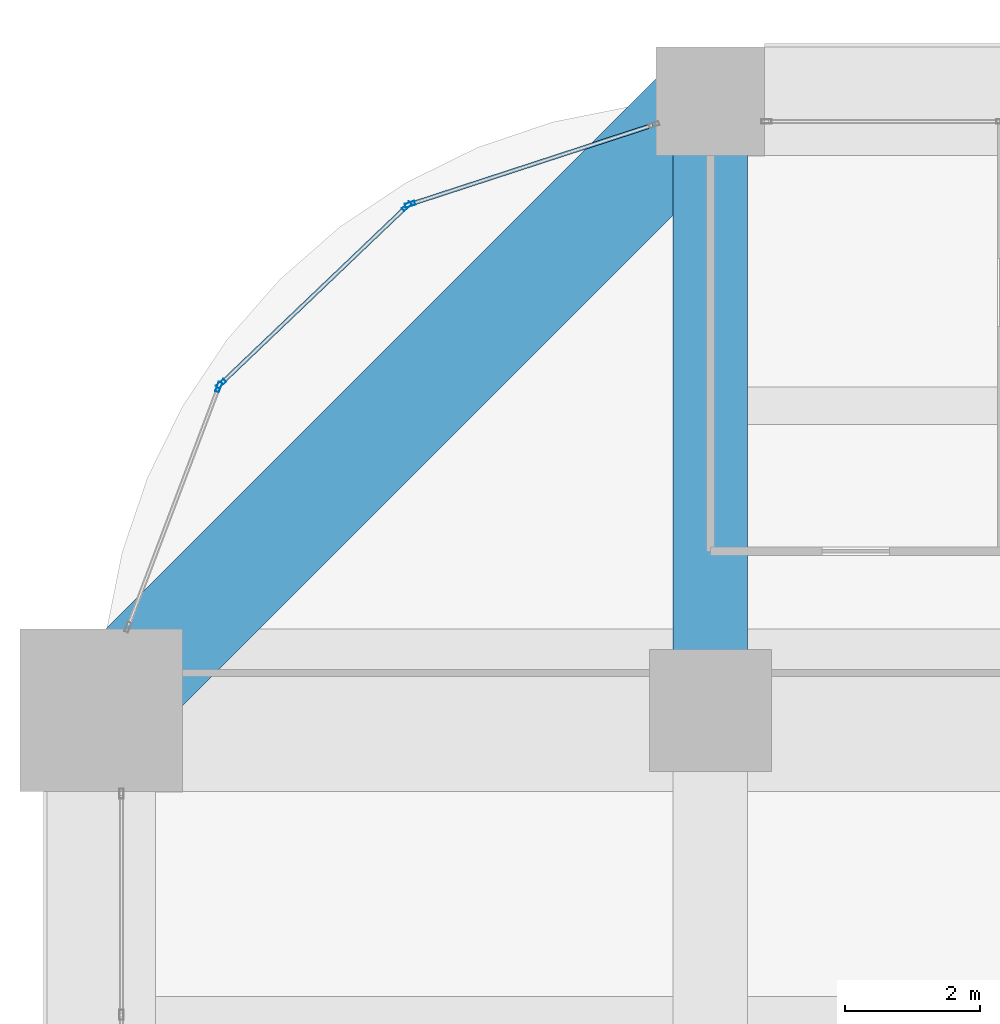
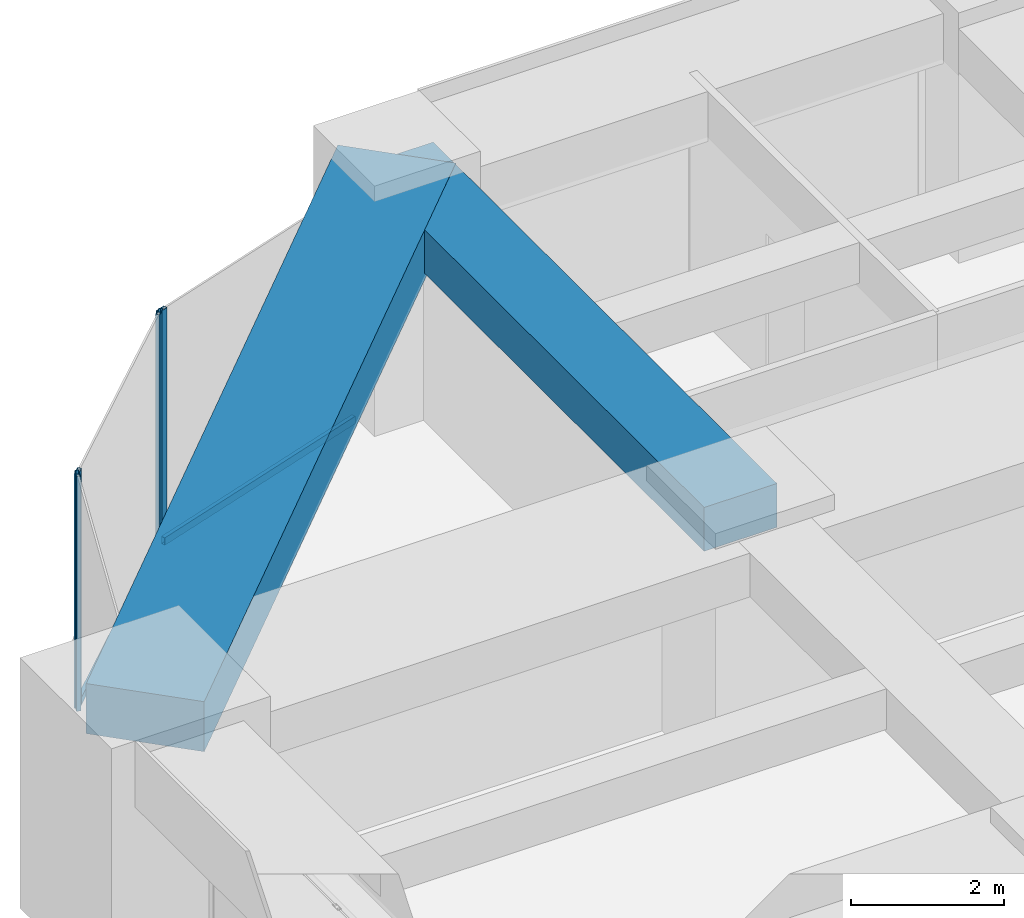
# One storey, part 26 of 42: 6 members, 2 beams, 3 elements without a shape of their own.
"""IFC4 building model written with IfcOpenShell, lengths in metres."""

from ifc_helpers import new_model, si_unit, direction, frame, origin, origin_2d, place, context, subcontext, project, spatial, rectangle, hollow_rectangle, extrude, material, material_profile, profile_set, type_object, element, aggregate, save


model = new_model("IFC4")

# Units and contexts
model_context = context("Model", 3, precision=1e-05, world=origin(), true_north=direction((0.0, 1.0)))
body_context = subcontext(model_context, "Body", "Model", "MODEL_VIEW")
ifc_project = project(units=[si_unit("LENGTHUNIT", "METRE"), si_unit("AREAUNIT", "SQUARE_METRE"), si_unit("VOLUMEUNIT", "CUBIC_METRE"), si_unit("PLANEANGLEUNIT", "RADIAN"), si_unit("MASSUNIT", "GRAM", prefix="KILO")], contexts=[model_context])

# Site, building, storey
site_placement = place(None, origin())
site = spatial("IfcSite", under=ifc_project, at=site_placement, CompositionType="ELEMENT")
building_placement = place(site_placement, origin())
building = spatial("IfcBuilding", under=site, at=building_placement, Name="Zorevar Civic Tower", CompositionType="ELEMENT")
storey_placement = place(building_placement, frame((0.0, 0.0, 149.0)))
storey = spatial("IfcBuildingStorey", under=building, at=storey_placement, Name="L36", CompositionType="ELEMENT", Elevation=149.0)

# Beam
ifc_material_1 = material(Name="Concrete C50/60", Category="concrete")
ifc_material_profile_1 = material_profile(ifc_material_1, rectangle(XDim=1.10009765625, YDim=0.699951171875, at=origin_2d()), Name="RC 1100x700")
ifc_profile_set_1 = profile_set([ifc_material_profile_1], Name="Concrete C50/60")
beam_type_1 = type_object("IfcBeamType", Name="Beam RC 1100x700", PredefinedType="BEAM", material=ifc_profile_set_1)
beam_1_placement = place(storey_placement, frame((9.0, 36.0, 3.39990234375), z_axis=(0.0, 1.0, 0.0), x_axis=(-1.0, 0.0, 0.0)))
element("IfcBeam", 1, at=beam_1_placement, inside=storey, type_object=beam_type_1, Name="Girder L37", PredefinedType="BEAM", context=body_context, shape_type="SweptSolid", body=[
    extrude(rectangle(XDim=1.10009765625, YDim=0.699951171875, at=origin_2d()), origin(), (0.0, 0.0, 1.0), 9.0),
])

# Curtain wall, member
ifc_material_2 = material(Name="Dark grey solar-control glass in black aluminium frame", Category="aluminium")
curtain_wall_type = type_object("IfcCurtainWallType", Name="Curtain wall CW3 mid zone", PredefinedType="NOTDEFINED", material=ifc_material_2)
curtain_wall_1_placement = place(storey_placement, origin())
curtain_wall_1 = element("IfcCurtainWall", 2, at=curtain_wall_1_placement, inside=storey, type_object=curtain_wall_type, Name="CW3 L36", PredefinedType="NOTDEFINED")
ifc_material_3 = material(Name="Aluminium, black anodised", Category="aluminium")
ifc_material_profile_2 = material_profile(ifc_material_3, hollow_rectangle(XDim=0.06005859375, YDim=0.14990234375, WallThickness=0.00390625, at=origin_2d()), Name="AL 150x60x4")
ifc_profile_set_2 = profile_set([ifc_material_profile_2], Name="Aluminium, black anodised")
member_type_1 = type_object("IfcMemberType", Name="CW3 mullion AL 150x60x4", PredefinedType="MULLION", material=ifc_profile_set_2)
member_1_placement = place(storey_placement, frame((4.56396484375, 43.476318359375, 0.0), z_axis=(0.0, 0.0, 1.0), x_axis=(0.310263169163, -0.950650706548, 0.0)))
member_1 = element("IfcMember", 3, at=member_1_placement, type_object=member_type_1, Name="CW3 mullion 2", PredefinedType="MULLION", context=body_context, shape_type="SweptSolid", body=[
    extrude(hollow_rectangle(XDim=0.06005859375, YDim=0.14990234375, WallThickness=0.00390625, at=origin_2d()), origin(), (0.0, 0.0, 1.0), 3.75),
])

# Curtain wall, members
curtain_wall_2_placement = place(storey_placement, origin())
curtain_wall_2 = element("IfcCurtainWall", 4, at=curtain_wall_2_placement, inside=storey, type_object=curtain_wall_type, Name="CW3 L36", PredefinedType="NOTDEFINED")
member_2_placement = place(storey_placement, frame((4.513916015625, 43.4462890625, 0.0), z_axis=(0.0, 0.0, 1.0), x_axis=(0.690545329292, -0.723289117983, 0.0)))
member_2 = element("IfcMember", 5, at=member_2_placement, type_object=member_type_1, Name="CW3 mullion 1", PredefinedType="MULLION", context=body_context, shape_type="SweptSolid", body=[
    extrude(hollow_rectangle(XDim=0.06005859375, YDim=0.14990234375, WallThickness=0.00390625, at=origin_2d()), origin(), (0.0, 0.0, 1.0), 3.75),
])
member_3_placement = place(storey_placement, frame((1.76904296875, 40.825927734375, 0.0), z_axis=(0.0, 0.0, 1.0), x_axis=(0.690545329292, -0.723289117983, 0.0)))
member_3 = element("IfcMember", 6, at=member_3_placement, type_object=member_type_1, Name="CW3 mullion 2", PredefinedType="MULLION", context=body_context, shape_type="SweptSolid", body=[
    extrude(hollow_rectangle(XDim=0.06005859375, YDim=0.14990234375, WallThickness=0.00390625, at=origin_2d()), origin(), (0.0, 0.0, 1.0), 3.75),
])

# Curtain wall, member
curtain_wall_3_placement = place(storey_placement, origin())
curtain_wall_3 = element("IfcCurtainWall", 7, at=curtain_wall_3_placement, inside=storey, type_object=curtain_wall_type, Name="CW3 L36", PredefinedType="NOTDEFINED")
member_4_placement = place(storey_placement, frame((1.73681640625, 40.777099609375, 0.0), z_axis=(0.0, 0.0, 1.0), x_axis=(0.935276561184, -0.353917722218, 0.0)))
member_4 = element("IfcMember", 8, at=member_4_placement, type_object=member_type_1, Name="CW3 mullion 1", PredefinedType="MULLION", context=body_context, shape_type="SweptSolid", body=[
    extrude(hollow_rectangle(XDim=0.06005859375, YDim=0.14990234375, WallThickness=0.00390625, at=origin_2d()), origin(), (0.0, 0.0, 1.0), 3.75),
])
aggregate(curtain_wall_3, [member_4])

# Member
ifc_material_4 = material(Name="Aluminium, black anodised", Category="aluminium")
ifc_material_profile_3 = material_profile(ifc_material_4, hollow_rectangle(XDim=0.06005859375, YDim=0.1201171875, WallThickness=0.0029296875, at=origin_2d()), Name="AL 120x60x3")
ifc_profile_set_3 = profile_set([ifc_material_profile_3], Name="Aluminium, black anodised")
member_type_2 = type_object("IfcMemberType", Name="CW3 transom AL 120x60x3", PredefinedType="USERDEFINED", material=ifc_profile_set_3)
member_5_placement = place(storey_placement, frame((8.14306640625, 44.64453125, 0.030029296875), z_axis=(-0.950638909659, -0.310299312669, 0.0), x_axis=(0.310299312669, -0.950638909659, 0.0)))
member_5 = element("IfcMember", 9, at=member_5_placement, type_object=member_type_2, Name="CW3 sill transom", ObjectType="TRANSOM", PredefinedType="USERDEFINED", context=body_context, shape_type="SweptSolid", body=[
    extrude(hollow_rectangle(XDim=0.06005859375, YDim=0.1201171875, WallThickness=0.0029296875, at=origin_2d()), origin(), (0.0, 0.0, 1.0), 3.73486328125),
])

aggregate(curtain_wall_1, [member_1, member_5])

member_6_placement = place(storey_placement, frame((4.4921875, 43.425537109375, 0.030029296875), z_axis=(-0.723324377588, -0.690508395884, 0.0), x_axis=(0.690508395884, -0.723324377588, 0.0)))
member_6 = element("IfcMember", 10, at=member_6_placement, type_object=member_type_2, Name="CW3 sill transom", ObjectType="TRANSOM", PredefinedType="USERDEFINED", context=body_context, shape_type="SweptSolid", body=[
    extrude(hollow_rectangle(XDim=0.06005859375, YDim=0.1201171875, WallThickness=0.0029296875, at=origin_2d()), origin(), (0.0, 0.0, 1.0), 3.734619140625),
])

aggregate(curtain_wall_2, [member_2, member_3, member_6])

# Beam
ifc_material_5 = material(Name="Concrete C50/60", Category="concrete")
ifc_material_profile_4 = material_profile(ifc_material_5, rectangle(XDim=1.60009765625, YDim=0.800048828125, at=origin_2d()), Name="RC 1600x800")
ifc_profile_set_4 = profile_set([ifc_material_profile_4], Name="Concrete C50/60")
beam_type_2 = type_object("IfcBeamType", Name="Edge beam RC 1600x800", PredefinedType="SPANDREL", material=ifc_profile_set_4)
beam_2_placement = place(storey_placement, frame((9.0, 45.0, 3.35009765625), z_axis=(-0.707106781187, -0.707106781187, 0.0), x_axis=(0.707106781187, -0.707106781187, 0.0)))
element("IfcBeam", 11, at=beam_2_placement, inside=storey, type_object=beam_type_2, Name="Corner edge beam L37", PredefinedType="SPANDREL", context=body_context, shape_type="SweptSolid", body=[
    extrude(rectangle(XDim=1.60009765625, YDim=0.800048828125, at=origin_2d()), origin(), (0.0, 0.0, 1.0), 12.72802734375),
])

save(model, "model.ifc")
